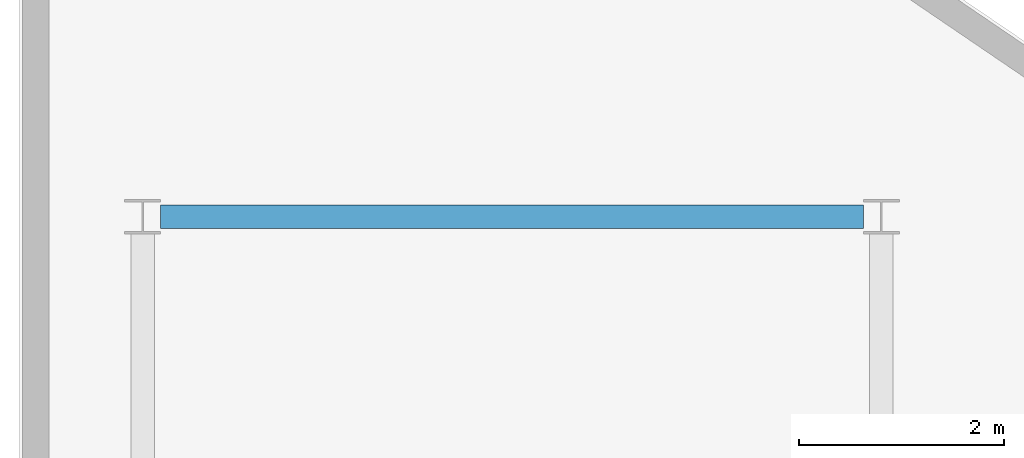
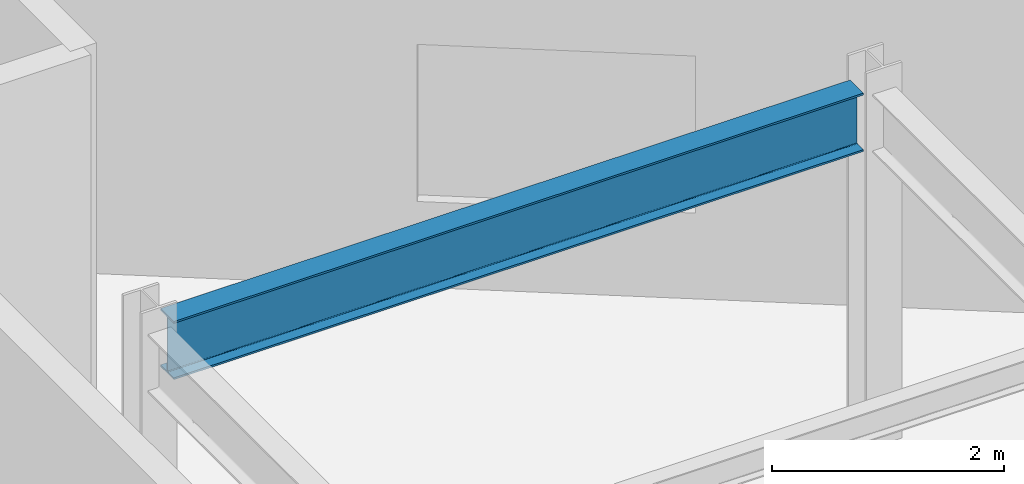
# One storey, part 9 of 20: 1 beam.
"""IFC4 building model written with IfcOpenShell, lengths in metres."""

from ifc_helpers import new_model, si_unit, direction, frame, origin, origin_2d, place, context, subcontext, project, spatial, i_section, extrude, material, material_profile, profile_set, type_object, element, save


model = new_model("IFC4")

# Units and contexts
model_context = context("Model", 3, precision=1e-05, world=origin(), true_north=direction((0.0, 1.0)))
body_context = subcontext(model_context, "Body", "Model", "MODEL_VIEW")
ifc_project = project(units=[si_unit("LENGTHUNIT", "METRE"), si_unit("AREAUNIT", "SQUARE_METRE"), si_unit("VOLUMEUNIT", "CUBIC_METRE"), si_unit("PLANEANGLEUNIT", "RADIAN"), si_unit("MASSUNIT", "GRAM", prefix="KILO")], contexts=[model_context])

# Site, building, storey
site_placement = place(None, origin())
site = spatial("IfcSite", under=ifc_project, at=site_placement, CompositionType="ELEMENT")
building_placement = place(site_placement, origin())
building = spatial("IfcBuilding", under=site, at=building_placement, Name="Varnakote Quay Hospital", CompositionType="ELEMENT")
storey_placement = place(building_placement, frame((0.0, 0.0, 26.449951171875)))
storey = spatial("IfcBuildingStorey", under=building, at=storey_placement, Name="L06", CompositionType="ELEMENT", Elevation=26.449951171875)

# Beam
ifc_material = material(Name="Structural steel AS/NZS 3679.1 Grade 350 L0 (fy 340 MPa)", Category="steel")
ifc_material_profile = material_profile(ifc_material, i_section(OverallWidth=0.22900390625, OverallDepth=0.612060546875, WebThickness=0.011962890625, FlangeThickness=0.01953125, FilletRadius=0.013916015625, at=origin_2d()), Name="610UB125")
ifc_profile_set = profile_set([ifc_material_profile], Name="Structural steel AS/NZS 3679.1 Grade 350 L0 (fy 340 MPa)")
beam_type = type_object("IfcBeamType", Name="BM-STL-610UB125", PredefinedType="BEAM", material=ifc_profile_set)
beam_placement = place(storey_placement, frame((1.375, 37.199951171875, 3.404052734375), z_axis=(1.0, 0.0, 0.0), x_axis=(0.0, 1.0, 0.0)))
element("IfcBeam", 1, at=beam_placement, inside=storey, type_object=beam_type, Name="L06 Primary Floor Beam", PredefinedType="BEAM", context=body_context, shape_type="SweptSolid", body=[
    extrude(i_section(OverallWidth=0.22900390625, OverallDepth=0.612060546875, WebThickness=0.011962890625, FlangeThickness=0.01953125, FilletRadius=0.013916015625, at=origin_2d()), origin(), (0.0, 0.0, 1.0), 6.85009765625),
])

save(model, "model.ifc")
